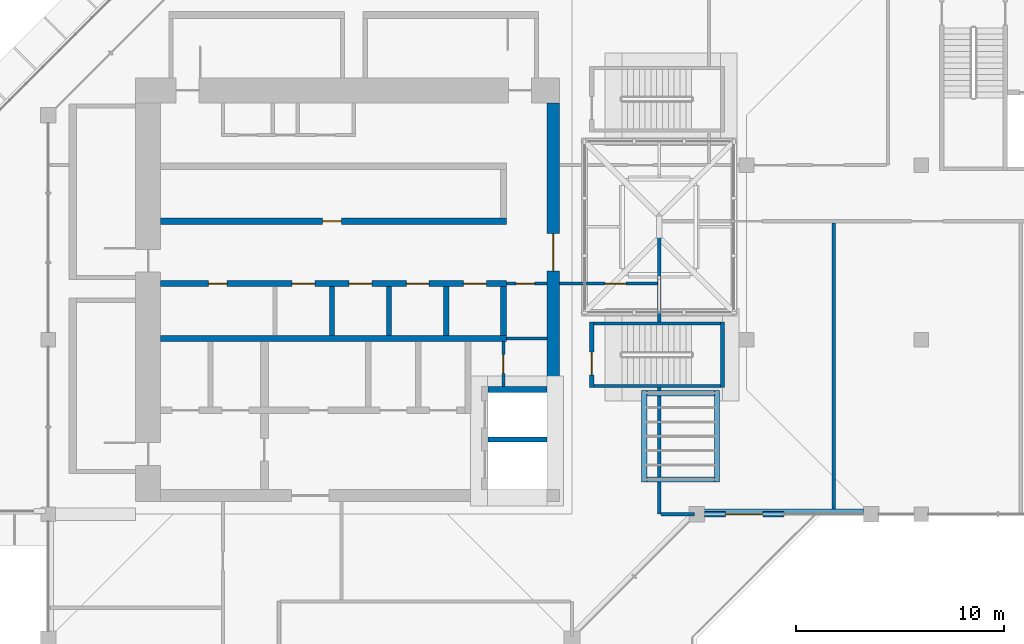
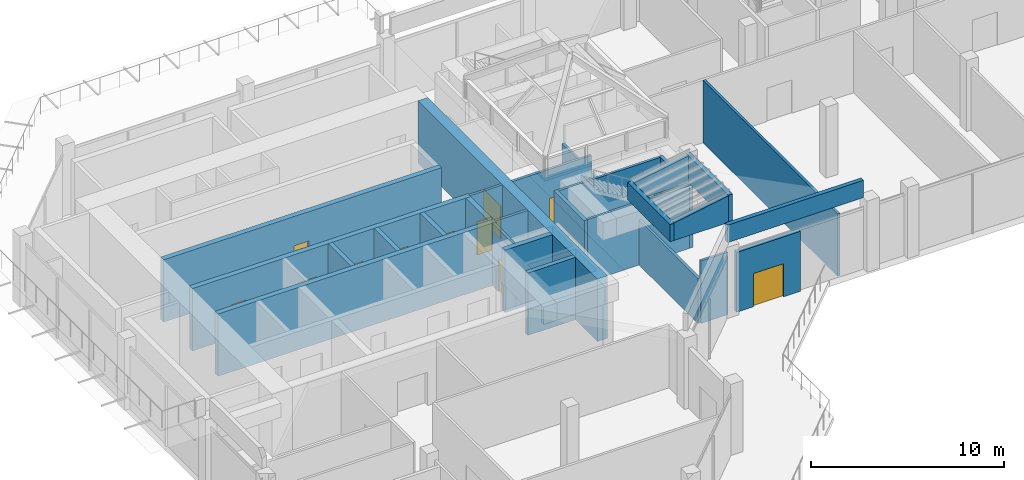
# One storey, part 9 of 15: 28 walls, 12 doors, 12 openings.
"""IFC4 building model written with IfcOpenShell, lengths in metres."""

from ifc_helpers import new_model, si_unit, direction, frame, frame_2d, origin, place, context, subcontext, project, spatial, polyline, rectangle, outline, extrude, material, layer, layer_set, type_object, element, fill, save


model = new_model("IFC4")

# Units and contexts
model_context = context("Model", 3, precision=1e-05, world=origin(), true_north=direction((0.0, 1.0)))
body_context = subcontext(model_context, "Body", "Model", "MODEL_VIEW")
ifc_project = project(units=[si_unit("LENGTHUNIT", "METRE"), si_unit("AREAUNIT", "SQUARE_METRE"), si_unit("VOLUMEUNIT", "CUBIC_METRE"), si_unit("PLANEANGLEUNIT", "RADIAN"), si_unit("MASSUNIT", "GRAM", prefix="KILO")], contexts=[model_context])

# Site, building, storey
site_placement = place(None, origin())
site = spatial("IfcSite", under=ifc_project, at=site_placement, CompositionType="ELEMENT")
building_placement = place(site_placement, origin())
building = spatial("IfcBuilding", under=site, at=building_placement, Name="Kawkab Arch Medical Tower", CompositionType="ELEMENT")
storey_placement = place(building_placement, frame((0.0, 0.0, 332.199951171875)))
storey = spatial("IfcBuildingStorey", under=building, at=storey_placement, Name="L77", CompositionType="ELEMENT", Elevation=332.199951171875)

# Wall, opening, door
ifc_material_1 = material(Name="Concrete C40/50", Category="concrete")
ifc_layer_1 = layer(ifc_material_1, 0.60009765625)
ifc_layer_set_1 = layer_set([ifc_layer_1], Name="Concrete C40/50")
wall_type_1 = type_object("IfcWallType", Name="Core ring wall 600 C40/50", PredefinedType="SHEAR", material=ifc_layer_set_1)
wall_1_placement = place(storey_placement, frame((24.300048828125, -24.0, 0.0), z_axis=(0.0, 0.0, 1.0), x_axis=(0.0, 1.0, 0.0)))
wall_1 = element("IfcWall", 1, at=wall_1_placement, inside=storey, type_object=wall_type_1, Name="L77 core wall", PredefinedType="SHEAR", context=body_context, shape_type="SweptSolid", body=[
    extrude(rectangle(XDim=18.60009765625, YDim=0.60009765625, at=frame_2d((9.300048828125, 0.0))), origin(), (0.0, 0.0, 1.0), 3.949951171875),
])
opening_1_placement = place(wall_1_placement, frame((10.5, 0.0, 0.0)))
opening_1 = element("IfcOpeningElement", 2, at=opening_1_placement, cuts=wall_1, Name="Opening PD", PredefinedType="OPENING", context=body_context, shape_type="SweptSolid", body=[
    extrude(rectangle(XDim=1.800048828125, YDim=2.10009765625, at=frame_2d((0.89990234375, 1.050048828125))), frame((0.0, 0.31005859375, 0.0), z_axis=(0.0, -1.0, 0.0), x_axis=(1.0, 0.0, 0.0)), (0.0, 0.0, 1.0), 0.6201171875),
])
ifc_material_2 = material(Name="Hollow metal fire door leaf")
door_type_1 = type_object("IfcDoorType", Name="Core entrance doors 1800", OperationType="DOUBLE_DOOR_SINGLE_SWING", PredefinedType="DOOR", material=ifc_material_2)
door_1_placement = place(opening_1_placement, origin())
door_1 = element("IfcDoor", 3, at=door_1_placement, inside=storey, type_object=door_type_1, Name="L77 East entrance doors", OperationType="DOUBLE_DOOR_SINGLE_SWING", OverallHeight=2.10009765625, OverallWidth=1.800048828125, PredefinedType="DOOR", context=body_context, shape_type="SweptSolid", body=[
    extrude(rectangle(XDim=1.800048828125, YDim=2.10009765625, at=frame_2d((0.89990234375, 1.050048828125))), frame((0.0, 0.02490234375, 0.0), z_axis=(0.0, -1.0, 0.0), x_axis=(1.0, 0.0, 0.0)), (0.0, 0.0, 1.0), 0.050048828125),
])
fill(opening_1, door_1)

ifc_material_3 = material(Name="Gypsum board on steel studs", Category="steel")
ifc_layer_2 = layer(ifc_material_3, 0.14990234375)
ifc_layer_set_2 = layer_set([ifc_layer_2], Name="Gypsum board on steel studs")
wall_type_2 = type_object("IfcWallType", Name="Core room partition 150", PredefinedType="PARTITIONING", material=ifc_layer_set_2)
wall_2_placement = place(storey_placement, frame((21.89990234375, -19.050048828125, 0.0), z_axis=(0.0, 0.0, 1.0), x_axis=(0.0, 1.0, 0.0)))
wall_2 = element("IfcWall", 4, at=wall_2_placement, inside=storey, type_object=wall_type_2, Name="L77 core room partition", PredefinedType="PARTITIONING", context=body_context, shape_type="SweptSolid", body=[
    extrude(rectangle(XDim=2.150146484375, YDim=0.14990234375, at=frame_2d((1.0751953125, 0.0))), origin(), (0.0, 0.0, 1.0), 3.949951171875),
])
opening_2_placement = place(wall_2_placement, frame((0.625, 0.0, 0.0)))
opening_2 = element("IfcOpeningElement", 5, at=opening_2_placement, cuts=wall_2, Name="Opening RD", PredefinedType="OPENING", context=body_context, shape_type="SweptSolid", body=[
    extrude(rectangle(XDim=0.89990234375, YDim=2.10009765625, at=frame_2d((0.449951171875, 1.050048828125))), frame((0.0, 0.0849609375, 0.0), z_axis=(0.0, -1.0, 0.0), x_axis=(1.0, 0.0, 0.0)), (0.0, 0.0, 1.0), 0.169921875),
])
ifc_material_4 = material(Name="Hollow metal fire door leaf")
door_type_2 = type_object("IfcDoorType", Name="Core room door 900", OperationType="SINGLE_SWING_LEFT", PredefinedType="DOOR", material=ifc_material_4)
door_2_placement = place(opening_2_placement, origin())
door_2 = element("IfcDoor", 6, at=door_2_placement, inside=storey, type_object=door_type_2, Name="L77 Accessible WC door", OperationType="SINGLE_SWING_LEFT", OverallHeight=2.10009765625, OverallWidth=0.89990234375, PredefinedType="DOOR", context=body_context, shape_type="SweptSolid", body=[
    extrude(rectangle(XDim=0.89990234375, YDim=2.10009765625, at=frame_2d((0.449951171875, 1.050048828125))), frame((0.0, 0.02490234375, 0.0), z_axis=(0.0, -1.0, 0.0), x_axis=(1.0, 0.0, 0.0)), (0.0, 0.0, 1.0), 0.050048828125),
])
fill(opening_2, door_2)

# Wall
wall_3_placement = place(storey_placement, frame((22.050048828125, -16.75, 0.0), z_axis=(0.0, 0.0, 1.0), x_axis=(1.0, 0.0, 0.0)))
element("IfcWall", 7, at=wall_3_placement, inside=storey, type_object=wall_type_2, Name="L77 core room partition", PredefinedType="PARTITIONING", context=body_context, shape_type="SweptSolid", body=[
    extrude(rectangle(XDim=1.949951171875, YDim=0.14990234375, at=frame_2d((0.97509765625, 0.0))), origin(), (0.0, 0.0, 1.0), 3.949951171875),
])

# Wall, opening, door
wall_4_placement = place(storey_placement, frame((22.050048828125, -14.10009765625, 0.0), z_axis=(0.0, 0.0, 1.0), x_axis=(1.0, 0.0, 0.0)))
wall_4 = element("IfcWall", 8, at=wall_4_placement, inside=storey, type_object=wall_type_2, Name="L77 core room partition", PredefinedType="PARTITIONING", context=body_context, shape_type="SweptSolid", body=[
    extrude(rectangle(XDim=1.949951171875, YDim=0.14990234375, at=frame_2d((0.97509765625, 0.0))), origin(), (0.0, 0.0, 1.0), 3.949951171875),
])
opening_3_placement = place(wall_4_placement, frame((0.449951171875, 0.0, 0.0)))
opening_3 = element("IfcOpeningElement", 9, at=opening_3_placement, cuts=wall_4, Name="Opening RD", PredefinedType="OPENING", context=body_context, shape_type="SweptSolid", body=[
    extrude(rectangle(XDim=0.89990234375, YDim=2.10009765625, at=frame_2d((0.449951171875, 1.050048828125))), frame((0.0, 0.0849609375, 0.0), z_axis=(0.0, -1.0, 0.0), x_axis=(1.0, 0.0, 0.0)), (0.0, 0.0, 1.0), 0.169921875),
])
door_3_placement = place(opening_3_placement, origin())
door_3 = element("IfcDoor", 10, at=door_3_placement, inside=storey, type_object=door_type_2, Name="L77 Medication store door", OperationType="SINGLE_SWING_LEFT", OverallHeight=2.10009765625, OverallWidth=0.89990234375, PredefinedType="DOOR", context=body_context, shape_type="SweptSolid", body=[
    extrude(rectangle(XDim=0.89990234375, YDim=2.10009765625, at=frame_2d((0.449951171875, 1.050048828125))), frame((0.0, 0.02490234375, 0.0), z_axis=(0.0, -1.0, 0.0), x_axis=(1.0, 0.0, 0.0)), (0.0, 0.0, 1.0), 0.050048828125),
])
fill(opening_3, door_3)

# Walls
ifc_material_5 = material(Name="Concrete C60/75", Category="concrete")
ifc_layer_3 = layer(ifc_material_5, 0.25)
ifc_layer_set_3 = layer_set([ifc_layer_3], Name="Concrete C60/75")
wall_type_3 = type_object("IfcWallType", Name="Core shear wall 250 C60/75", PredefinedType="SHEAR", material=ifc_layer_set_3)
wall_5_placement = place(storey_placement, frame((21.14990234375, -21.60009765625, 0.0), z_axis=(0.0, 0.0, 1.0), x_axis=(1.0, 0.0, 0.0)))
element("IfcWall", 11, at=wall_5_placement, inside=storey, type_object=wall_type_3, Name="L77 core shear wall", PredefinedType="SHEAR", context=body_context, shape_type="SweptSolid", body=[
    extrude(rectangle(XDim=2.85009765625, YDim=0.25, at=frame_2d((1.425048828125, 0.0))), origin(), (0.0, 0.0, 1.0), 3.949951171875),
])
for number, where, z_axis, x_axis, name in (
    (12, (13.64990234375, -16.60009765625, 0.0), (0.0, 0.0, 1.0), (0.0, 1.0, 0.0), "L77 core shear wall"),
    (13, (16.39990234375, -16.60009765625, 0.0), (0.0, 0.0, 1.0), (0.0, 1.0, 0.0), "L77 core shear wall"),
    (14, (19.14990234375, -16.60009765625, 0.0), (0.0, 0.0, 1.0), (0.0, 1.0, 0.0), "L77 core shear wall"),
):
    element("IfcWall", number, at=place(storey_placement, frame(where, z_axis=z_axis, x_axis=x_axis)), inside=storey, type_object=wall_type_3, Name=name, PredefinedType="SHEAR", context=body_context, shape_type="SweptSolid", body=[
        extrude(rectangle(XDim=2.35009765625, YDim=0.25, at=frame_2d((1.175048828125, 0.0))), origin(), (0.0, 0.0, 1.0), 3.949951171875),
    ])

# Wall, opening, door
ifc_material_6 = material(Name="Concrete C60/75", Category="concrete")
ifc_layer_4 = layer(ifc_material_6, 0.300048828125)
ifc_layer_set_4 = layer_set([ifc_layer_4], Name="Concrete C60/75")
wall_type_4 = type_object("IfcWallType", Name="Core shear wall 300 C60/75", PredefinedType="SHEAR", material=ifc_layer_set_4)
wall_6_placement = place(storey_placement, frame((5.39990234375, -11.10009765625, 0.0), z_axis=(0.0, 0.0, 1.0), x_axis=(1.0, 0.0, 0.0)))
wall_6 = element("IfcWall", 15, at=wall_6_placement, inside=storey, type_object=wall_type_4, Name="L77 core shear wall", PredefinedType="SHEAR", context=body_context, shape_type="SweptSolid", body=[
    extrude(rectangle(XDim=16.650146484375, YDim=0.300048828125, at=frame_2d((8.3251953125, 0.0))), origin(), (0.0, 0.0, 1.0), 3.949951171875),
])
opening_4_placement = place(wall_6_placement, frame((7.800048828125, 0.0, 0.0)))
opening_4 = element("IfcOpeningElement", 16, at=opening_4_placement, cuts=wall_6, Name="Opening RD", PredefinedType="OPENING", context=body_context, shape_type="SweptSolid", body=[
    extrude(rectangle(XDim=0.89990234375, YDim=2.10009765625, at=frame_2d((0.449951171875, 1.050048828125))), frame((0.0, 0.159912109375, 0.0), z_axis=(0.0, -1.0, 0.0), x_axis=(1.0, 0.0, 0.0)), (0.0, 0.0, 1.0), 0.320068359375),
])
door_4_placement = place(opening_4_placement, origin())
door_4 = element("IfcDoor", 17, at=door_4_placement, inside=storey, type_object=door_type_2, Name="L77 General store door", OperationType="SINGLE_SWING_LEFT", OverallHeight=2.10009765625, OverallWidth=0.89990234375, PredefinedType="DOOR", context=body_context, shape_type="SweptSolid", body=[
    extrude(rectangle(XDim=0.89990234375, YDim=2.10009765625, at=frame_2d((0.449951171875, 1.050048828125))), frame((0.0, 0.02490234375, 0.0), z_axis=(0.0, -1.0, 0.0), x_axis=(1.0, 0.0, 0.0)), (0.0, 0.0, 1.0), 0.050048828125),
])
fill(opening_4, door_4)

# Wall, openings, doors
wall_7_placement = place(storey_placement, frame((5.39990234375, -14.10009765625, 0.0), z_axis=(0.0, 0.0, 1.0), x_axis=(1.0, 0.0, 0.0)))
wall_7 = element("IfcWall", 18, at=wall_7_placement, inside=storey, type_object=wall_type_4, Name="L77 core shear wall", PredefinedType="SHEAR", context=body_context, shape_type="SweptSolid", body=[
    extrude(rectangle(XDim=16.650146484375, YDim=0.300048828125, at=frame_2d((8.3251953125, 0.0))), origin(), (0.0, 0.0, 1.0), 3.949951171875),
])
opening_5_placement = place(wall_7_placement, frame((6.324951171875, 0.0, 0.0)))
opening_5 = element("IfcOpeningElement", 19, at=opening_5_placement, cuts=wall_7, Name="Opening LD1", PredefinedType="OPENING", context=body_context, shape_type="SweptSolid", body=[
    extrude(rectangle(XDim=1.10009765625, YDim=2.10009765625, at=frame_2d((0.550048828125, 1.050048828125))), frame((0.0, 0.159912109375, 0.0), z_axis=(0.0, -1.0, 0.0), x_axis=(1.0, 0.0, 0.0)), (0.0, 0.0, 1.0), 0.320068359375),
])
opening_6_placement = place(wall_7_placement, frame((9.074951171875, 0.0, 0.0)))
opening_6 = element("IfcOpeningElement", 20, at=opening_6_placement, cuts=wall_7, Name="Opening LD1", PredefinedType="OPENING", context=body_context, shape_type="SweptSolid", body=[
    extrude(rectangle(XDim=1.10009765625, YDim=2.10009765625, at=frame_2d((0.550048828125, 1.050048828125))), frame((0.0, 0.159912109375, 0.0), z_axis=(0.0, -1.0, 0.0), x_axis=(1.0, 0.0, 0.0)), (0.0, 0.0, 1.0), 0.320068359375),
])
opening_7_placement = place(wall_7_placement, frame((11.824951171875, 0.0, 0.0)))
opening_7 = element("IfcOpeningElement", 21, at=opening_7_placement, cuts=wall_7, Name="Opening LD1", PredefinedType="OPENING", context=body_context, shape_type="SweptSolid", body=[
    extrude(rectangle(XDim=1.10009765625, YDim=2.10009765625, at=frame_2d((0.550048828125, 1.050048828125))), frame((0.0, 0.159912109375, 0.0), z_axis=(0.0, -1.0, 0.0), x_axis=(1.0, 0.0, 0.0)), (0.0, 0.0, 1.0), 0.320068359375),
])
opening_8_placement = place(wall_7_placement, frame((14.574951171875, 0.0, 0.0)))
opening_8 = element("IfcOpeningElement", 22, at=opening_8_placement, cuts=wall_7, Name="Opening LD1", PredefinedType="OPENING", context=body_context, shape_type="SweptSolid", body=[
    extrude(rectangle(XDim=1.10009765625, YDim=2.10009765625, at=frame_2d((0.550048828125, 1.050048828125))), frame((0.0, 0.159912109375, 0.0), z_axis=(0.0, -1.0, 0.0), x_axis=(1.0, 0.0, 0.0)), (0.0, 0.0, 1.0), 0.320068359375),
])
opening_9_placement = place(wall_7_placement, frame((2.300048828125, 0.0, 0.0)))
opening_9 = element("IfcOpeningElement", 23, at=opening_9_placement, cuts=wall_7, Name="Opening RD", PredefinedType="OPENING", context=body_context, shape_type="SweptSolid", body=[
    extrude(rectangle(XDim=0.89990234375, YDim=2.10009765625, at=frame_2d((0.449951171875, 1.050048828125))), frame((0.0, 0.159912109375, 0.0), z_axis=(0.0, -1.0, 0.0), x_axis=(1.0, 0.0, 0.0)), (0.0, 0.0, 1.0), 0.320068359375),
])
door_5_placement = place(opening_9_placement, origin())
door_5 = element("IfcDoor", 24, at=door_5_placement, inside=storey, type_object=door_type_2, Name="L77 UPS room door", OperationType="SINGLE_SWING_LEFT", OverallHeight=2.10009765625, OverallWidth=0.89990234375, PredefinedType="DOOR", context=body_context, shape_type="SweptSolid", body=[
    extrude(rectangle(XDim=0.89990234375, YDim=2.10009765625, at=frame_2d((0.449951171875, 1.050048828125))), frame((0.0, 0.02490234375, 0.0), z_axis=(0.0, -1.0, 0.0), x_axis=(1.0, 0.0, 0.0)), (0.0, 0.0, 1.0), 0.050048828125),
])
fill(opening_9, door_5)
ifc_material_7 = material(Name="Stainless steel lift door leaf", Category="steel")
door_type_3 = type_object("IfcDoorType", Name="Lift landing door 1100", OperationType="DOUBLE_DOOR_SLIDING", PredefinedType="DOOR", material=ifc_material_7)
door_6_placement = place(opening_5_placement, origin())
door_6 = element("IfcDoor", 25, at=door_6_placement, inside=storey, type_object=door_type_3, Name="L77 Lift landing door HP1", OperationType="DOUBLE_DOOR_SLIDING", OverallHeight=2.10009765625, OverallWidth=1.10009765625, PredefinedType="DOOR", context=body_context, shape_type="SweptSolid", body=[
    extrude(rectangle(XDim=1.10009765625, YDim=2.10009765625, at=frame_2d((0.550048828125, 1.050048828125))), frame((0.0, 0.02490234375, 0.0), z_axis=(0.0, -1.0, 0.0), x_axis=(1.0, 0.0, 0.0)), (0.0, 0.0, 1.0), 0.050048828125),
])
fill(opening_5, door_6)
door_7_placement = place(opening_6_placement, origin())
door_7 = element("IfcDoor", 26, at=door_7_placement, inside=storey, type_object=door_type_3, Name="L77 Lift landing door HP2", OperationType="DOUBLE_DOOR_SLIDING", OverallHeight=2.10009765625, OverallWidth=1.10009765625, PredefinedType="DOOR", context=body_context, shape_type="SweptSolid", body=[
    extrude(rectangle(XDim=1.10009765625, YDim=2.10009765625, at=frame_2d((0.550048828125, 1.050048828125))), frame((0.0, 0.02490234375, 0.0), z_axis=(0.0, -1.0, 0.0), x_axis=(1.0, 0.0, 0.0)), (0.0, 0.0, 1.0), 0.050048828125),
])
fill(opening_6, door_7)
door_8_placement = place(opening_7_placement, origin())
door_8 = element("IfcDoor", 27, at=door_8_placement, inside=storey, type_object=door_type_3, Name="L77 Lift landing door HP3", OperationType="DOUBLE_DOOR_SLIDING", OverallHeight=2.10009765625, OverallWidth=1.10009765625, PredefinedType="DOOR", context=body_context, shape_type="SweptSolid", body=[
    extrude(rectangle(XDim=1.10009765625, YDim=2.10009765625, at=frame_2d((0.550048828125, 1.050048828125))), frame((0.0, 0.02490234375, 0.0), z_axis=(0.0, -1.0, 0.0), x_axis=(1.0, 0.0, 0.0)), (0.0, 0.0, 1.0), 0.050048828125),
])
fill(opening_7, door_8)
door_9_placement = place(opening_8_placement, origin())
door_9 = element("IfcDoor", 28, at=door_9_placement, inside=storey, type_object=door_type_3, Name="L77 Lift landing door HP4", OperationType="DOUBLE_DOOR_SLIDING", OverallHeight=2.10009765625, OverallWidth=1.10009765625, PredefinedType="DOOR", context=body_context, shape_type="SweptSolid", body=[
    extrude(rectangle(XDim=1.10009765625, YDim=2.10009765625, at=frame_2d((0.550048828125, 1.050048828125))), frame((0.0, 0.02490234375, 0.0), z_axis=(0.0, -1.0, 0.0), x_axis=(1.0, 0.0, 0.0)), (0.0, 0.0, 1.0), 0.050048828125),
])
fill(opening_8, door_9)

# Walls
wall_8_placement = place(storey_placement, frame((5.39990234375, -16.75, 0.0), z_axis=(0.0, 0.0, 1.0), x_axis=(1.0, 0.0, 0.0)))
element("IfcWall", 29, at=wall_8_placement, inside=storey, type_object=wall_type_4, Name="L77 core shear wall", PredefinedType="SHEAR", context=body_context, shape_type="SweptSolid", body=[
    extrude(rectangle(XDim=16.650146484375, YDim=0.300048828125, at=frame_2d((8.3251953125, 0.0))), origin(), (0.0, 0.0, 1.0), 3.949951171875),
])
wall_9_placement = place(storey_placement, frame((21.89990234375, -16.60009765625, 0.0), z_axis=(0.0, 0.0, 1.0), x_axis=(0.0, 1.0, 0.0)))
element("IfcWall", 30, at=wall_9_placement, inside=storey, type_object=wall_type_4, Name="L77 core shear wall", PredefinedType="SHEAR", context=body_context, shape_type="SweptSolid", body=[
    extrude(rectangle(XDim=2.35009765625, YDim=0.300048828125, at=frame_2d((1.175048828125, 0.0))), origin(), (0.0, 0.0, 1.0), 3.949951171875),
])
wall_10_placement = place(storey_placement, frame((21.14990234375, -19.199951171875, 0.0), z_axis=(0.0, 0.0, 1.0), x_axis=(1.0, 0.0, 0.0)))
element("IfcWall", 31, at=wall_10_placement, inside=storey, type_object=wall_type_4, Name="L77 core shear wall", PredefinedType="SHEAR", context=body_context, shape_type="SweptSolid", body=[
    extrude(rectangle(XDim=2.85009765625, YDim=0.300048828125, at=frame_2d((1.425048828125, 0.0))), origin(), (0.0, 0.0, 1.0), 3.949951171875),
])
ifc_material_8 = material(Name="Bronze clad insulated wall panel")
ifc_layer_5 = layer(ifc_material_8, 0.25)
ifc_layer_set_5 = layer_set([ifc_layer_5], Name="Bronze clad insulated wall panel")
wall_type_5 = type_object("IfcWallType", Name="Crown parapet 250", PredefinedType="SOLIDWALL", material=ifc_layer_set_5)
wall_11_placement = place(storey_placement, frame((39.2275390625, -25.074951171875, 4.5), z_axis=(0.0, 0.0, 1.0), x_axis=(-1.0, 0.0, 0.0)))
element("IfcWall", 32, at=wall_11_placement, inside=storey, type_object=wall_type_5, Name="Parapet, helipad lobby wing 1", PredefinedType="SOLIDWALL", context=body_context, shape_type="SweptSolid", body=[
    extrude(rectangle(XDim=8.131103515625, YDim=0.25, at=frame_2d((4.0654296875, 0.0))), origin(), (0.0, 0.0, 1.0), 1.10009765625),
])

# Wall, opening, door
ifc_material_9 = material(Name="Bronze clad insulated wall panel")
ifc_layer_6 = layer(ifc_material_9, 0.25)
ifc_layer_set_6 = layer_set([ifc_layer_6], Name="Bronze clad insulated wall panel")
wall_type_6 = type_object("IfcWallType", Name="External wall bay 250", PredefinedType="SOLIDWALL", material=ifc_layer_set_6)
wall_12_placement = place(storey_placement, frame((31.574951171875, -25.199951171875, 0.0), z_axis=(0.0, 0.0, 1.0), x_axis=(1.0, 0.0, 0.0)))
wall_12 = element("IfcWall", 33, at=wall_12_placement, inside=storey, type_object=wall_type_6, Name="External wall bay L77.R11.1.1", PredefinedType="SOLIDWALL", context=body_context, shape_type="SweptSolid", body=[
    extrude(rectangle(XDim=3.824951171875, YDim=0.25, at=frame_2d((1.91259765625, 0.0))), origin(), (0.0, 0.0, 1.0), 3.7900390625),
])
opening_10_placement = place(wall_12_placement, frame((1.012451171875, 0.0, 0.0)))
opening_10 = element("IfcOpeningElement", 34, at=opening_10_placement, cuts=wall_12, Name="Opening H77-701", PredefinedType="OPENING", context=body_context, shape_type="SweptSolid", body=[
    extrude(rectangle(XDim=1.800048828125, YDim=2.10009765625, at=frame_2d((0.89990234375, 1.050048828125))), frame((0.0, 0.135009765625, 0.0), z_axis=(0.0, -1.0, 0.0), x_axis=(1.0, 0.0, 0.0)), (0.0, 0.0, 1.0), 0.27001953125),
])
ifc_material_10 = material(Name="Bronze anodised aluminium door with tinted glass", Category="aluminium")
door_type_4 = type_object("IfcDoorType", Name="Double external door 1800 x 2100", OperationType="DOUBLE_DOOR_SINGLE_SWING", PredefinedType="DOOR", material=ifc_material_10)
door_10_placement = place(opening_10_placement, origin())
door_10 = element("IfcDoor", 35, at=door_10_placement, inside=storey, type_object=door_type_4, Name="External door L77.R11.1.1", OperationType="DOUBLE_DOOR_SINGLE_SWING", OverallHeight=2.10009765625, OverallWidth=1.800048828125, PredefinedType="DOOR", context=body_context, shape_type="SweptSolid", body=[
    extrude(rectangle(XDim=1.800048828125, YDim=2.10009765625, at=frame_2d((0.89990234375, 1.050048828125))), frame((0.0, 0.02490234375, 0.0), z_axis=(0.0, -1.0, 0.0), x_axis=(1.0, 0.0, 0.0)), (0.0, 0.0, 1.0), 0.050048828125),
])
fill(opening_10, door_10)

# Wall
ifc_material_11 = material(Name="Gypsum board partition on steel studs, mineral wool", Category="steel")
ifc_layer_7 = layer(ifc_material_11, 0.14990234375)
ifc_layer_set_7 = layer_set([ifc_layer_7], Name="Gypsum board partition on steel studs, mineral wool")
wall_type_7 = type_object("IfcWallType", Name="Partition 150", PredefinedType="PARTITIONING", material=ifc_layer_set_7)
wall_13_placement = place(storey_placement, frame((29.47509765625, -25.199951171875, 0.0), z_axis=(0.0, 0.0, 1.0), x_axis=(1.0, 0.0, 0.0)))
element("IfcWall", 36, at=wall_13_placement, inside=storey, type_object=wall_type_7, Name="Partition 150 w005", PredefinedType="PARTITIONING", context=body_context, shape_type="SweptSolid", body=[
    extrude(rectangle(XDim=1.61181640625, YDim=0.14990234375, at=frame_2d((0.805908203125, 0.0))), origin(), (0.0, 0.0, 1.0), 3.949951171875),
])

# Wall, opening, door
wall_14_placement = place(storey_placement, frame((24.60009765625, -14.10009765625, 0.0), z_axis=(0.0, 0.0, 1.0), x_axis=(1.0, 0.0, 0.0)))
wall_14 = element("IfcWall", 37, at=wall_14_placement, inside=storey, type_object=wall_type_7, Name="Partition 150 w006", PredefinedType="PARTITIONING", context=body_context, shape_type="SweptSolid", body=[
    extrude(rectangle(XDim=4.724853515625, YDim=0.14990234375, at=frame_2d((2.3623046875, 0.0))), origin(), (0.0, 0.0, 1.0), 3.949951171875),
])
opening_11_placement = place(wall_14_placement, frame((2.199951171875, 0.0, 0.0)))
opening_11 = element("IfcOpeningElement", 38, at=opening_11_placement, cuts=wall_14, Name="Opening H77-008", PredefinedType="OPENING", context=body_context, shape_type="SweptSolid", body=[
    extrude(rectangle(XDim=1.0, YDim=2.10009765625, at=frame_2d((0.5, 1.050048828125))), frame((0.0, 0.0849609375, 0.0), z_axis=(0.0, -1.0, 0.0), x_axis=(1.0, 0.0, 0.0)), (0.0, 0.0, 1.0), 0.169921875),
])
ifc_material_12 = material(Name="Hollow metal door leaf")
door_type_5 = type_object("IfcDoorType", Name="Single door 1000x2100 FD30S", OperationType="NOTDEFINED", PredefinedType="DOOR", material=ifc_material_12)
door_11_placement = place(opening_11_placement, origin())
door_11 = element("IfcDoor", 39, at=door_11_placement, inside=storey, type_object=door_type_5, Name="Door H77-008", OperationType="SINGLE_SWING_LEFT", OverallHeight=2.10009765625, OverallWidth=1.0, PredefinedType="DOOR", context=body_context, shape_type="SweptSolid", body=[
    extrude(rectangle(XDim=1.0, YDim=2.10009765625, at=frame_2d((0.5, 1.050048828125))), frame((0.0, 0.02490234375, 0.0), z_axis=(0.0, -1.0, 0.0), x_axis=(1.0, 0.0, 0.0)), (0.0, 0.0, 1.0), 0.050048828125),
])
fill(opening_11, door_11)

# Walls
wall_15_placement = place(storey_placement, frame((29.39990234375, -25.199951171875, 0.0), z_axis=(0.0, 0.0, 1.0), x_axis=(0.0, 1.0, 0.0)))
element("IfcWall", 40, at=wall_15_placement, inside=storey, type_object=wall_type_7, Name="Partition 150 w017", PredefinedType="PARTITIONING", context=body_context, shape_type="SweptSolid", body=[
    extrude(rectangle(XDim=6.099853515625, YDim=0.14990234375, at=frame_2d((3.0498046875, 0.0))), origin(), (0.0, 0.0, 1.0), 2.85009765625),
])
wall_16_placement = place(storey_placement, frame((29.39990234375, -15.949951171875, 0.0), z_axis=(0.0, 0.0, 1.0), x_axis=(0.0, 1.0, 0.0)))
element("IfcWall", 41, at=wall_16_placement, inside=storey, type_object=wall_type_7, Name="Partition 150 w018", PredefinedType="PARTITIONING", context=body_context, shape_type="SweptSolid", body=[
    extrude(rectangle(XDim=4.849853515625, YDim=0.14990234375, at=frame_2d((2.4248046875, 0.0))), origin(), (0.0, 0.0, 1.0), 2.85009765625),
])
wall_17_placement = place(storey_placement, frame((37.800048828125, -25.1201171875, 0.0), z_axis=(0.0, 0.0, 1.0), x_axis=(0.0, 1.0, 0.0)))
element("IfcWall", 42, at=wall_17_placement, inside=storey, type_object=wall_type_7, Name="Partition 150 w021", PredefinedType="PARTITIONING", context=body_context, shape_type="SweptSolid", body=[
    extrude(rectangle(XDim=13.945068359375, YDim=0.14990234375, at=frame_2d((6.97265625, 0.0))), origin(), (0.0, 0.0, 1.0), 3.949951171875),
])
ifc_material_13 = material(Name="Concrete C40/50", Category="concrete")
ifc_layer_8 = layer(ifc_material_13, 0.25)
ifc_layer_set_8 = layer_set([ifc_layer_8], Name="Concrete C40/50")
wall_type_8 = type_object("IfcWallType", Name="Rooflight kerb 250", PredefinedType="SOLIDWALL", material=ifc_layer_set_8)
wall_18_placement = place(storey_placement, frame((28.675048828125, -19.25, 4.5), z_axis=(0.0, 0.0, 1.0), x_axis=(0.0, -1.0, 0.0)))
element("IfcWall", 43, at=wall_18_placement, inside=storey, type_object=wall_type_8, Name="Rooflight kerb W", PredefinedType="SOLIDWALL", context=body_context, shape_type="SweptSolid", body=[
    extrude(rectangle(XDim=4.39990234375, YDim=0.25, at=frame_2d((2.199951171875, 0.0))), origin(), (0.0, 0.0, 1.0), 1.10009765625),
])
wall_19_placement = place(storey_placement, frame((32.175048828125, -19.25, 4.5), z_axis=(0.0, 0.0, 1.0), x_axis=(0.0, -1.0, 0.0)))
element("IfcWall", 44, at=wall_19_placement, inside=storey, type_object=wall_type_8, Name="Rooflight kerb E", PredefinedType="SOLIDWALL", context=body_context, shape_type="SweptSolid", body=[
    extrude(rectangle(XDim=4.39990234375, YDim=0.25, at=frame_2d((2.199951171875, 0.0))), origin(), (0.0, 0.0, 1.0), 1.717041015625),
])
for number, where, z_axis, x_axis, name in (
    (45, (28.800048828125, -19.375, 4.5), (0.0, 0.0, 1.0), (1.0, 0.0, 0.0), "Rooflight kerb N"),
    (46, (28.800048828125, -23.52490234375, 4.5), (0.0, 0.0, 1.0), (1.0, 0.0, 0.0), "Rooflight kerb S"),
):
    element("IfcWall", number, at=place(storey_placement, frame(where, z_axis=z_axis, x_axis=x_axis)), inside=storey, type_object=wall_type_8, Name=name, PredefinedType="SOLIDWALL", context=body_context, shape_type="SweptSolid", body=[
        extrude(outline(polyline([(0.0, 0.0), (3.25, 0.0), (3.25, 1.695068359375), (0.0, 1.1220703125), (0.0, 0.0)])), frame((0.0, 0.125, 0.0), z_axis=(0.0, -1.0, 0.0), x_axis=(1.0, 0.0, 0.0)), (0.0, 0.0, 1.0), 0.25),
    ])
ifc_material_14 = material(Name="Concrete C50/60", Category="concrete")
ifc_layer_9 = layer(ifc_material_14, 0.14990234375)
ifc_layer_set_9 = layer_set([ifc_layer_9], Name="Concrete C50/60")
wall_type_9 = type_object("IfcWallType", Name="Stair enclosure wall 150 C50/60", PredefinedType="SHEAR", material=ifc_layer_set_9)
for number, where, z_axis, x_axis, name in (
    (47, (26.25, -16.02490234375, 0.0), (0.0, 0.0, 1.0), (1.0, 0.0, 0.0), "L77 stair enclosure wall"),
    (48, (26.25, -19.02490234375, 0.0), (0.0, 0.0, 1.0), (1.0, 0.0, 0.0), "L77 stair enclosure wall"),
):
    element("IfcWall", number, at=place(storey_placement, frame(where, z_axis=z_axis, x_axis=x_axis)), inside=storey, type_object=wall_type_9, Name=name, PredefinedType="SHEAR", context=body_context, shape_type="SweptSolid", body=[
        extrude(rectangle(XDim=6.10009765625, YDim=0.14990234375, at=frame_2d((3.050048828125, 0.0))), origin(), (0.0, 0.0, 1.0), 3.949951171875),
    ])

# Wall, opening, door
ifc_material_15 = material(Name="Concrete C50/60", Category="concrete")
ifc_layer_10 = layer(ifc_material_15, 0.199951171875)
ifc_layer_set_10 = layer_set([ifc_layer_10], Name="Concrete C50/60")
wall_type_10 = type_object("IfcWallType", Name="Stair enclosure wall 200 C50/60", PredefinedType="SHEAR", material=ifc_layer_set_10)
wall_20_placement = place(storey_placement, frame((26.14990234375, -19.10009765625, 0.0), z_axis=(0.0, 0.0, 1.0), x_axis=(0.0, 1.0, 0.0)))
wall_20 = element("IfcWall", 49, at=wall_20_placement, inside=storey, type_object=wall_type_10, Name="L77 stair enclosure wall", PredefinedType="SHEAR", context=body_context, shape_type="SweptSolid", body=[
    extrude(rectangle(XDim=3.150146484375, YDim=0.199951171875, at=frame_2d((1.5751953125, 0.0))), origin(), (0.0, 0.0, 1.0), 3.949951171875),
])
opening_12_placement = place(wall_20_placement, frame((0.60009765625, 0.0, 0.0)))
opening_12 = element("IfcOpeningElement", 50, at=opening_12_placement, cuts=wall_20, Name="Opening SD", PredefinedType="OPENING", context=body_context, shape_type="SweptSolid", body=[
    extrude(rectangle(XDim=1.10009765625, YDim=2.10009765625, at=frame_2d((0.550048828125, 1.050048828125))), frame((0.0, 0.10986328125, 0.0), z_axis=(0.0, -1.0, 0.0), x_axis=(1.0, 0.0, 0.0)), (0.0, 0.0, 1.0), 0.219970703125),
])
ifc_material_16 = material(Name="Hollow metal fire door leaf")
door_type_6 = type_object("IfcDoorType", Name="Exit stair door 1100", OperationType="SINGLE_SWING_LEFT", PredefinedType="DOOR", material=ifc_material_16)
door_12_placement = place(opening_12_placement, origin())
door_12 = element("IfcDoor", 51, at=door_12_placement, inside=storey, type_object=door_type_6, Name="L77 Exit stair DS1 door", OperationType="SINGLE_SWING_LEFT", OverallHeight=2.10009765625, OverallWidth=1.10009765625, PredefinedType="DOOR", context=body_context, shape_type="SweptSolid", body=[
    extrude(rectangle(XDim=1.10009765625, YDim=2.10009765625, at=frame_2d((0.550048828125, 1.050048828125))), frame((0.0, 0.02490234375, 0.0), z_axis=(0.0, -1.0, 0.0), x_axis=(1.0, 0.0, 0.0)), (0.0, 0.0, 1.0), 0.050048828125),
])
fill(opening_12, door_12)

# Wall
wall_21_placement = place(storey_placement, frame((32.449951171875, -19.10009765625, 0.0), z_axis=(0.0, 0.0, 1.0), x_axis=(0.0, 1.0, 0.0)))
element("IfcWall", 52, at=wall_21_placement, inside=storey, type_object=wall_type_10, Name="L77 stair enclosure wall", PredefinedType="SHEAR", context=body_context, shape_type="SweptSolid", body=[
    extrude(rectangle(XDim=3.150146484375, YDim=0.199951171875, at=frame_2d((1.5751953125, 0.0))), origin(), (0.0, 0.0, 1.0), 3.949951171875),
])

save(model, "model.ifc")
